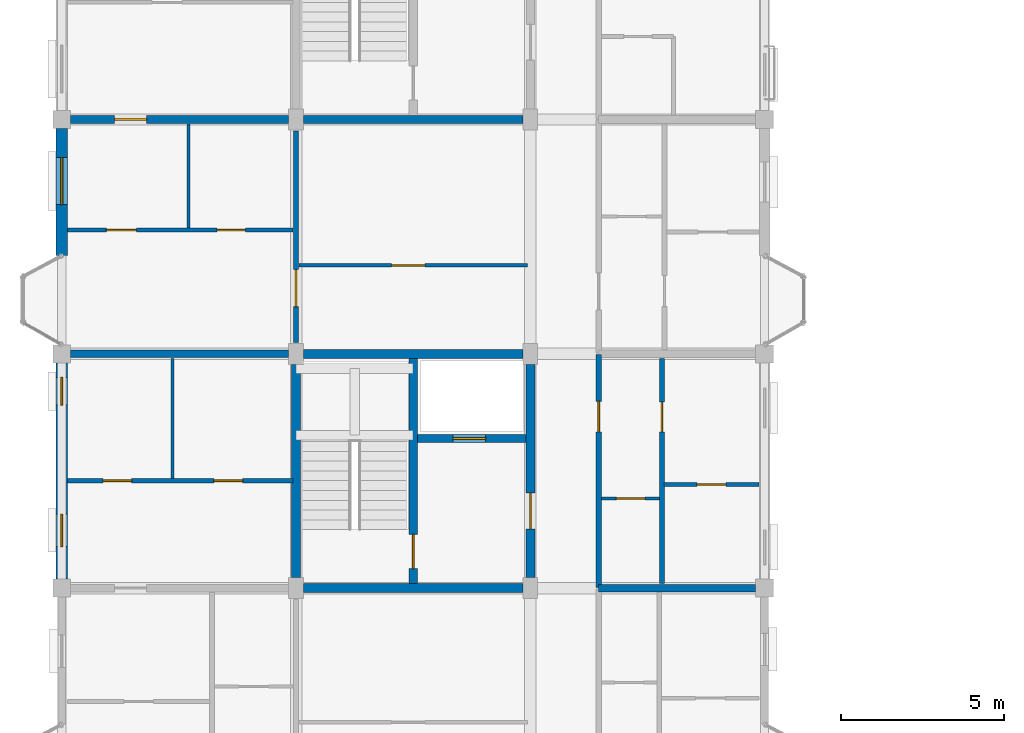
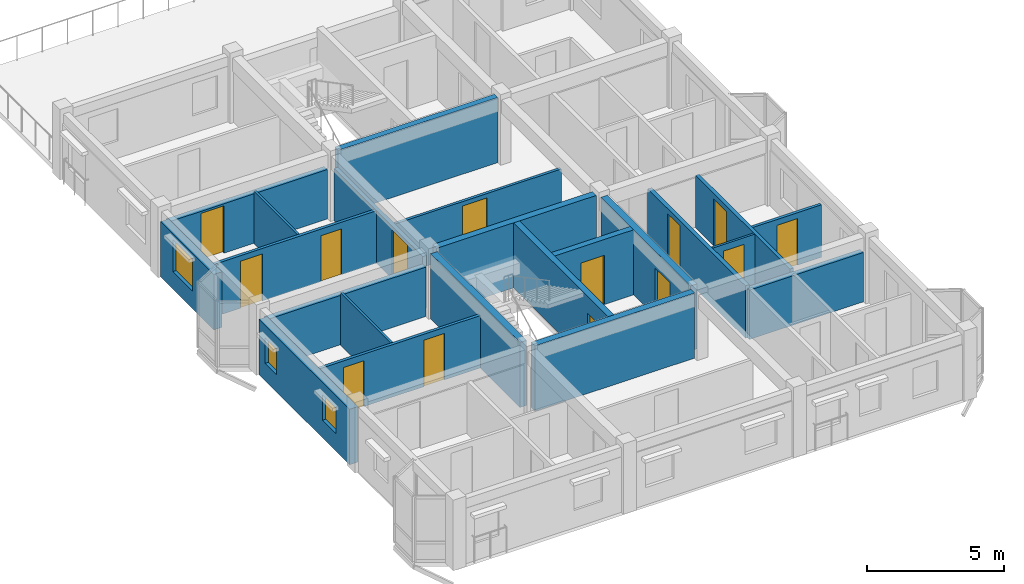
# One storey, part 51 of 75: 22 walls, 14 doors, 3 windows, 17 openings.
"""IFC4 building model written with IfcOpenShell, lengths in metres."""

from ifc_helpers import new_model, si_unit, direction, frame, frame_2d, origin, place, context, subcontext, project, spatial, rectangle, extrude, material, layer, layer_set, type_object, element, fill, save


model = new_model("IFC4")

# Units and contexts
model_context = context("Model", 3, precision=1e-05, world=origin(), true_north=direction((0.0, 1.0)))
body_context = subcontext(model_context, "Body", "Model", "MODEL_VIEW")
ifc_project = project(units=[si_unit("LENGTHUNIT", "METRE"), si_unit("AREAUNIT", "SQUARE_METRE"), si_unit("VOLUMEUNIT", "CUBIC_METRE"), si_unit("PLANEANGLEUNIT", "RADIAN"), si_unit("MASSUNIT", "GRAM", prefix="KILO"), si_unit("THERMODYNAMICTEMPERATUREUNIT", "KELVIN"), si_unit("POWERUNIT", "WATT")], contexts=[model_context])

# Site, building, storey
site_placement = place(None, origin())
site = spatial("IfcSite", under=ifc_project, at=site_placement, CompositionType="ELEMENT")
building_placement = place(site_placement, origin())
building = spatial("IfcBuilding", under=site, at=building_placement, Name="Tavuni Mirador Residences", CompositionType="ELEMENT")
storey_placement = place(building_placement, frame((0.0, 0.0, 20.25)))
storey = spatial("IfcBuildingStorey", under=building, at=storey_placement, Name="L06", CompositionType="ELEMENT", Elevation=20.25)

# Wall, opening, door
ifc_material_1 = material(Name="Precast concrete C40/50", Category="concrete")
ifc_layer_1 = layer(ifc_material_1, 0.25, Name="Precast concrete C40/50", Category="concrete")
ifc_layer_set_1 = layer_set([ifc_layer_1], Name="Precast concrete C40/50")
wall_type_1 = type_object("IfcWallType", Name="WT-COR250", PredefinedType="SHEAR", material=ifc_layer_set_1)
wall_1_placement = place(storey_placement, frame((14.39990234375, 72.139892578125, 0.0), z_axis=(0.0, 0.0, 1.0), x_axis=(0.0, 1.0, 0.0)))
wall_1 = element("IfcWall", 1, at=wall_1_placement, inside=storey, type_object=wall_type_1, Name="CWALL-C3-L06-MID", PredefinedType="SHEAR", context=body_context, shape_type="SweptSolid", body=[
    extrude(rectangle(XDim=6.920166015625, YDim=0.25, at=frame_2d((3.4599609375, 0.0))), origin(), (0.0, 0.0, 1.0), 2.909912109375),
])
opening_1_placement = place(wall_1_placement, frame((0.4599609375, 0.0, 0.0)))
opening_1 = element("IfcOpeningElement", 2, at=opening_1_placement, cuts=wall_1, Name="Opening D-01", PredefinedType="OPENING", context=body_context, shape_type="SweptSolid", body=[
    extrude(rectangle(XDim=1.050048828125, YDim=2.14990234375, at=frame_2d((0.52490234375, 1.074951171875))), frame((0.0, 0.135009765625, 0.0), z_axis=(0.0, -1.0, 0.0), x_axis=(1.0, 0.0, 0.0)), (0.0, 0.0, 1.0), 0.27001953125),
])
ifc_material_2 = material(Name="Solid core iroko timber", Category="wood")
door_type_1 = type_object("IfcDoorType", Name="DT-ST1050", OperationType="NOTDEFINED", PredefinedType="DOOR", material=ifc_material_2)
door_1_placement = place(opening_1_placement, origin())
door_1 = element("IfcDoor", 3, at=door_1_placement, inside=storey, type_object=door_type_1, Name="DR-2131", OperationType="SINGLE_SWING_LEFT", OverallHeight=2.14990234375, OverallWidth=1.050048828125, PredefinedType="DOOR", context=body_context, shape_type="SweptSolid", body=[
    extrude(rectangle(XDim=1.050048828125, YDim=2.14990234375, at=frame_2d((0.52490234375, 1.074951171875))), frame((0.0, 0.02490234375, 0.0), z_axis=(0.0, -1.0, 0.0), x_axis=(1.0, 0.0, 0.0)), (0.0, 0.0, 1.0), 0.050048828125),
])
fill(opening_1, door_1)

wall_2_placement = place(storey_placement, frame((14.52490234375, 76.60009765625, 0.0), z_axis=(0.0, 0.0, 1.0), x_axis=(1.0, 0.0, 0.0)))
wall_2 = element("IfcWall", 4, at=wall_2_placement, inside=storey, type_object=wall_type_1, Name="CWALL-C3-L06-SHF", PredefinedType="SHEAR", context=body_context, shape_type="SweptSolid", body=[
    extrude(rectangle(XDim=3.335205078125, YDim=0.25, at=frame_2d((1.66748046875, 0.0))), origin(), (0.0, 0.0, 1.0), 2.909912109375),
])
opening_2_placement = place(wall_2_placement, frame((1.10009765625, 0.0, 0.0)))
opening_2 = element("IfcOpeningElement", 5, at=opening_2_placement, cuts=wall_2, Name="Opening LD-02", PredefinedType="OPENING", context=body_context, shape_type="SweptSolid", body=[
    extrude(rectangle(XDim=1.0, YDim=2.199951171875, at=frame_2d((0.5, 1.10009765625))), frame((0.0, 0.135009765625, 0.0), z_axis=(0.0, -1.0, 0.0), x_axis=(1.0, 0.0, 0.0)), (0.0, 0.0, 1.0), 0.27001953125),
])
ifc_material_3 = material(Name="Structural steel S355", Category="steel")
door_type_2 = type_object("IfcDoorType", Name="DT-LD-PAX", OperationType="SLIDING_TO_LEFT", PredefinedType="DOOR", material=ifc_material_3)
door_2_placement = place(opening_2_placement, origin())
door_2 = element("IfcDoor", 6, at=door_2_placement, inside=storey, type_object=door_type_2, Name="Lift landing door PL-B1 L06", OperationType="SLIDING_TO_LEFT", OverallHeight=2.199951171875, OverallWidth=1.0, PredefinedType="DOOR", context=body_context, shape_type="SweptSolid", body=[
    extrude(rectangle(XDim=1.0, YDim=2.199951171875, at=frame_2d((0.5, 1.10009765625))), frame((0.0, 0.02490234375, 0.0), z_axis=(0.0, -1.0, 0.0), x_axis=(1.0, 0.0, 0.0)), (0.0, 0.0, 1.0), 0.050048828125),
])
fill(opening_2, door_2)

# Walls
wall_3_placement = place(storey_placement, frame((11.02490234375, 86.39990234375, 0.0), z_axis=(0.0, 0.0, 1.0), x_axis=(1.0, 0.0, 0.0)))
element("IfcWall", 7, at=wall_3_placement, inside=storey, type_object=wall_type_1, Name="CWALL-C4-L06-SS", PredefinedType="SHEAR", context=body_context, shape_type="SweptSolid", body=[
    extrude(rectangle(XDim=6.75, YDim=0.25, at=frame_2d((3.375, 0.0))), origin(), (0.0, 0.0, 1.0), 2.909912109375),
])
ifc_layer_2 = layer(ifc_material_1, 0.280029296875, Name="Precast concrete C40/50", Category="concrete")
ifc_layer_set_2 = layer_set([ifc_layer_2], Name="Precast concrete C40/50")
wall_type_2 = type_object("IfcWallType", Name="WT-COR280", PredefinedType="SHEAR", material=ifc_layer_set_2)
wall_4_placement = place(storey_placement, frame((10.800048828125, 72.324951171875, 0.0), z_axis=(0.0, 0.0, 1.0), x_axis=(0.0, 1.0, 0.0)))
element("IfcWall", 8, at=wall_4_placement, inside=storey, type_object=wall_type_2, Name="CWALL-C3-L06-W", PredefinedType="SHEAR", context=body_context, shape_type="SweptSolid", body=[
    extrude(rectangle(XDim=6.550048828125, YDim=0.280029296875, at=frame_2d((3.27490234375, 0.0))), origin(), (0.0, 0.0, 1.0), 2.909912109375),
])
wall_5_placement = place(storey_placement, frame((11.02490234375, 79.199951171875, 0.0), z_axis=(0.0, 0.0, 1.0), x_axis=(1.0, 0.0, 0.0)))
element("IfcWall", 9, at=wall_5_placement, inside=storey, type_object=wall_type_2, Name="CWALL-C3-L06-N", PredefinedType="SHEAR", context=body_context, shape_type="SweptSolid", body=[
    extrude(rectangle(XDim=6.75, YDim=0.280029296875, at=frame_2d((3.375, 0.0))), origin(), (0.0, 0.0, 1.0), 2.909912109375),
])

# Wall, opening, door
wall_6_placement = place(storey_placement, frame((18.0, 72.324951171875, 0.0), z_axis=(0.0, 0.0, 1.0), x_axis=(0.0, 1.0, 0.0)))
wall_6 = element("IfcWall", 10, at=wall_6_placement, inside=storey, type_object=wall_type_2, Name="CWALL-C3-L06-E", PredefinedType="SHEAR", context=body_context, shape_type="SweptSolid", body=[
    extrude(rectangle(XDim=6.550048828125, YDim=0.280029296875, at=frame_2d((3.27490234375, 0.0))), origin(), (0.0, 0.0, 1.0), 2.909912109375),
])
opening_3_placement = place(wall_6_placement, frame((1.5, 0.0, 0.0)))
opening_3 = element("IfcOpeningElement", 11, at=opening_3_placement, cuts=wall_6, Name="Opening D-02", PredefinedType="OPENING", context=body_context, shape_type="SweptSolid", body=[
    extrude(rectangle(XDim=1.10009765625, YDim=2.14990234375, at=frame_2d((0.550048828125, 1.074951171875))), frame((0.0, 0.14990234375, 0.0), z_axis=(0.0, -1.0, 0.0), x_axis=(1.0, 0.0, 0.0)), (0.0, 0.0, 1.0), 0.300048828125),
])
door_type_3 = type_object("IfcDoorType", Name="DT-LOB1100", OperationType="NOTDEFINED", PredefinedType="DOOR", material=ifc_material_2)
door_3_placement = place(opening_3_placement, frame((1.10009765625, 0.0, 0.0), z_axis=(0.0, 0.0, 1.0), x_axis=(-1.0, 0.0, 0.0)))
door_3 = element("IfcDoor", 12, at=door_3_placement, inside=storey, type_object=door_type_3, Name="DR-2130", OperationType="SINGLE_SWING_LEFT", OverallHeight=2.14990234375, OverallWidth=1.10009765625, PredefinedType="DOOR", context=body_context, shape_type="SweptSolid", body=[
    extrude(rectangle(XDim=1.10009765625, YDim=2.14990234375, at=frame_2d((0.550048828125, 1.074951171875))), frame((0.0, 0.02490234375, 0.0), z_axis=(0.0, -1.0, 0.0), x_axis=(1.0, 0.0, 0.0)), (0.0, 0.0, 1.0), 0.050048828125),
])
fill(opening_3, door_3)

# Wall
wall_7_placement = place(storey_placement, frame((11.02490234375, 72.0, 0.0), z_axis=(0.0, 0.0, 1.0), x_axis=(1.0, 0.0, 0.0)))
element("IfcWall", 13, at=wall_7_placement, inside=storey, type_object=wall_type_2, Name="CWALL-C3-L06-SS", PredefinedType="SHEAR", context=body_context, shape_type="SweptSolid", body=[
    extrude(rectangle(XDim=6.75, YDim=0.280029296875, at=frame_2d((3.375, 0.0))), origin(), (0.0, 0.0, 1.0), 2.909912109375),
])

# Wall, opening, door
ifc_layer_3 = layer(ifc_material_1, 0.1650390625, Name="Precast concrete C40/50", Category="concrete")
ifc_layer_set_3 = layer_set([ifc_layer_3], Name="Precast concrete C40/50")
wall_type_3 = type_object("IfcWallType", Name="WT-CORR165", PredefinedType="PARTITIONING", material=ifc_layer_set_3)
wall_8_placement = place(storey_placement, frame((20.10009765625, 72.02001953125, 0.0), z_axis=(0.0, 0.0, 1.0), x_axis=(0.0, 1.0, 0.0)))
wall_8 = element("IfcWall", 14, at=wall_8_placement, inside=storey, type_object=wall_type_3, Name="CORW-BLK-B-L06-0-01", PredefinedType="PARTITIONING", context=body_context, shape_type="SweptSolid", body=[
    extrude(rectangle(XDim=7.159912109375, YDim=0.1650390625, at=frame_2d((3.580078125, 0.0))), origin(), (0.0, 0.0, 1.0), 2.344970703125),
])
opening_4_placement = place(wall_8_placement, frame((4.780029296875, 0.0, 0.0)))
opening_4 = element("IfcOpeningElement", 15, at=opening_4_placement, cuts=wall_8, Name="Opening D-19", PredefinedType="OPENING", context=body_context, shape_type="SweptSolid", body=[
    extrude(rectangle(XDim=0.93994140625, YDim=2.1201171875, at=frame_2d((0.469970703125, 1.06005859375))), frame((0.0, 0.092529296875, 0.0), z_axis=(0.0, -1.0, 0.0), x_axis=(1.0, 0.0, 0.0)), (0.0, 0.0, 1.0), 0.18505859375),
])
door_type_4 = type_object("IfcDoorType", Name="DT-FD60-940", OperationType="NOTDEFINED", PredefinedType="DOOR", material=ifc_material_2)
door_4_placement = place(opening_4_placement, origin())
door_4 = element("IfcDoor", 16, at=door_4_placement, inside=storey, type_object=door_type_4, Name="DR-2578", OperationType="SINGLE_SWING_LEFT", OverallHeight=2.1201171875, OverallWidth=0.93994140625, PredefinedType="DOOR", context=body_context, shape_type="SweptSolid", body=[
    extrude(rectangle(XDim=0.93994140625, YDim=2.1201171875, at=frame_2d((0.469970703125, 1.06005859375))), frame((0.0, 0.02490234375, 0.0), z_axis=(0.0, -1.0, 0.0), x_axis=(1.0, 0.0, 0.0)), (0.0, 0.0, 1.0), 0.050048828125),
])
fill(opening_4, door_4)

wall_9_placement = place(storey_placement, frame((10.800048828125, 79.550048828125, 0.0), z_axis=(0.0, 0.0, 1.0), x_axis=(0.0, 1.0, 0.0)))
wall_9 = element("IfcWall", 17, at=wall_9_placement, inside=storey, type_object=wall_type_3, Name="CORW-BLK-B-L06-1-02", PredefinedType="PARTITIONING", context=body_context, shape_type="SweptSolid", body=[
    extrude(rectangle(XDim=6.5, YDim=0.1650390625, at=frame_2d((3.25, 0.0))), origin(), (0.0, 0.0, 1.0), 2.344970703125),
])
opening_5_placement = place(wall_9_placement, frame((1.10009765625, 0.0, 0.0)))
opening_5 = element("IfcOpeningElement", 18, at=opening_5_placement, cuts=wall_9, Name="Opening D-20", PredefinedType="OPENING", context=body_context, shape_type="SweptSolid", body=[
    extrude(rectangle(XDim=1.139892578125, YDim=2.179931640625, at=frame_2d((0.56982421875, 1.08984375))), frame((0.0, 0.092529296875, 0.0), z_axis=(0.0, -1.0, 0.0), x_axis=(1.0, 0.0, 0.0)), (0.0, 0.0, 1.0), 0.18505859375),
])
door_type_5 = type_object("IfcDoorType", Name="DT-FD60-1140", OperationType="NOTDEFINED", PredefinedType="DOOR", material=ifc_material_2)
door_5_placement = place(opening_5_placement, origin())
door_5 = element("IfcDoor", 19, at=door_5_placement, inside=storey, type_object=door_type_5, Name="DR-2582", OperationType="SINGLE_SWING_LEFT", OverallHeight=2.179931640625, OverallWidth=1.139892578125, PredefinedType="DOOR", context=body_context, shape_type="SweptSolid", body=[
    extrude(rectangle(XDim=1.139892578125, YDim=2.179931640625, at=frame_2d((0.56982421875, 1.08984375))), frame((0.0, 0.02490234375, 0.0), z_axis=(0.0, -1.0, 0.0), x_axis=(1.0, 0.0, 0.0)), (0.0, 0.0, 1.0), 0.050048828125),
])
fill(opening_5, door_5)

# Wall, opening, window
ifc_material_4 = material(Name="Sgraffito lime-rendered precast concrete C40/50", Category="concrete")
ifc_layer_4 = layer(ifc_material_4, 0.344970703125, Name="Sgraffito lime-rendered precast concrete C40/50", Category="concrete")
ifc_layer_set_4 = layer_set([ifc_layer_4], Name="Sgraffito lime-rendered precast concrete C40/50")
wall_type_4 = type_object("IfcWallType", Name="WT-EXT-PTY345", PredefinedType="SOLIDWALL", material=ifc_layer_set_4)
wall_10_placement = place(storey_placement, frame((3.60009765625, 86.125, 0.0), z_axis=(0.0, 0.0, 1.0), x_axis=(0.0, -1.0, 0.0)))
wall_10 = element("IfcWall", 20, at=wall_10_placement, inside=storey, type_object=wall_type_4, Name="EW-BLK-B-L06-W02", PredefinedType="SOLIDWALL", context=body_context, shape_type="SweptSolid", body=[
    extrude(rectangle(XDim=3.905029296875, YDim=0.344970703125, at=frame_2d((1.95263671875, 0.0))), origin(), (0.0, 0.0, 1.0), 2.47998046875),
])
opening_6_placement = place(wall_10_placement, frame((0.892578125, 0.0, 0.780029296875)))
opening_6 = element("IfcOpeningElement", 21, at=opening_6_placement, cuts=wall_10, Name="Opening WN-30", PredefinedType="OPENING", context=body_context, shape_type="SweptSolid", body=[
    extrude(rectangle(XDim=1.449951171875, YDim=1.43994140625, at=frame_2d((0.72509765625, 0.719970703125))), frame((0.0, 0.1826171875, 0.0), z_axis=(0.0, -1.0, 0.0), x_axis=(1.0, 0.0, 0.0)), (0.0, 0.0, 1.0), 0.364990234375),
])
ifc_material_5 = material(Name="Laminated solar-control glass", Category="glass")
window_type_1 = type_object("IfcWindowType", Name="WNT-30", PartitioningType="SINGLE_PANEL", PredefinedType="WINDOW", material=ifc_material_5)
window_1_placement = place(opening_6_placement, origin())
window_1 = element("IfcWindow", 22, at=window_1_placement, inside=storey, type_object=window_type_1, Name="WIN-0743", OverallHeight=1.43994140625, OverallWidth=1.449951171875, PartitioningType="SINGLE_PANEL", PredefinedType="WINDOW", context=body_context, shape_type="SweptSolid", body=[
    extrude(rectangle(XDim=1.449951171875, YDim=1.43994140625, at=frame_2d((0.72509765625, 0.719970703125))), frame((0.0, 0.030029296875, 0.0), z_axis=(0.0, -1.0, 0.0), x_axis=(1.0, 0.0, 0.0)), (0.0, 0.0, 1.0), 0.06005859375),
])
fill(opening_6, window_1)

# Wall, openings, windows
wall_11_placement = place(storey_placement, frame((3.60009765625, 78.925048828125, 0.0), z_axis=(0.0, 0.0, 1.0), x_axis=(0.0, -1.0, 0.0)))
wall_11 = element("IfcWall", 23, at=wall_11_placement, inside=storey, type_object=wall_type_4, Name="EW-BLK-B-L06-W01", PredefinedType="SOLIDWALL", context=body_context, shape_type="SweptSolid", body=[
    extrude(rectangle(XDim=6.650146484375, YDim=0.344970703125, at=frame_2d((3.3251953125, 0.0))), origin(), (0.0, 0.0, 1.0), 2.47998046875),
])
opening_7_placement = place(wall_11_placement, frame((0.449951171875, 0.0, 0.780029296875)))
opening_7 = element("IfcOpeningElement", 24, at=opening_7_placement, cuts=wall_11, Name="Opening WN-01", PredefinedType="OPENING", context=body_context, shape_type="SweptSolid", body=[
    extrude(rectangle(XDim=0.85009765625, YDim=1.14990234375, at=frame_2d((0.425048828125, 0.574951171875))), frame((0.0, 0.1826171875, 0.0), z_axis=(0.0, -1.0, 0.0), x_axis=(1.0, 0.0, 0.0)), (0.0, 0.0, 1.0), 0.364990234375),
])
opening_8_placement = place(wall_11_placement, frame((4.64990234375, 0.0, 0.780029296875)))
opening_8 = element("IfcOpeningElement", 25, at=opening_8_placement, cuts=wall_11, Name="Opening WN-03", PredefinedType="OPENING", context=body_context, shape_type="SweptSolid", body=[
    extrude(rectangle(XDim=1.0, YDim=1.14990234375, at=frame_2d((0.5, 0.574951171875))), frame((0.0, 0.1826171875, 0.0), z_axis=(0.0, -1.0, 0.0), x_axis=(1.0, 0.0, 0.0)), (0.0, 0.0, 1.0), 0.364990234375),
])
window_type_2 = type_object("IfcWindowType", Name="WNT-01", PartitioningType="SINGLE_PANEL", PredefinedType="WINDOW", material=ifc_material_5)
window_2_placement = place(opening_7_placement, origin())
window_2 = element("IfcWindow", 26, at=window_2_placement, inside=storey, type_object=window_type_2, Name="WIN-0744", OverallHeight=1.14990234375, OverallWidth=0.85009765625, PartitioningType="SINGLE_PANEL", PredefinedType="WINDOW", context=body_context, shape_type="SweptSolid", body=[
    extrude(rectangle(XDim=0.85009765625, YDim=1.14990234375, at=frame_2d((0.425048828125, 0.574951171875))), frame((0.0, 0.030029296875, 0.0), z_axis=(0.0, -1.0, 0.0), x_axis=(1.0, 0.0, 0.0)), (0.0, 0.0, 1.0), 0.06005859375),
])
fill(opening_7, window_2)
window_type_3 = type_object("IfcWindowType", Name="WNT-03", PartitioningType="SINGLE_PANEL", PredefinedType="WINDOW", material=ifc_material_5)
window_3_placement = place(opening_8_placement, origin())
window_3 = element("IfcWindow", 27, at=window_3_placement, inside=storey, type_object=window_type_3, Name="WIN-0745", OverallHeight=1.14990234375, OverallWidth=1.0, PartitioningType="SINGLE_PANEL", PredefinedType="WINDOW", context=body_context, shape_type="SweptSolid", body=[
    extrude(rectangle(XDim=1.0, YDim=1.14990234375, at=frame_2d((0.5, 0.574951171875))), frame((0.0, 0.030029296875, 0.0), z_axis=(0.0, -1.0, 0.0), x_axis=(1.0, 0.0, 0.0)), (0.0, 0.0, 1.0), 0.06005859375),
])
fill(opening_8, window_3)

# Wall
ifc_material_6 = material(Name="Acoustic gypsum and concrete block partition", Category="concrete")
ifc_layer_5 = layer(ifc_material_6, 0.094970703125, Name="Acoustic gypsum and concrete block partition", Category="concrete")
ifc_layer_set_5 = layer_set([ifc_layer_5], Name="Acoustic gypsum and concrete block partition")
wall_type_5 = type_object("IfcWallType", Name="WT-PART095", PredefinedType="PARTITIONING", material=ifc_layer_set_5)
wall_12_placement = place(storey_placement, frame((7.0, 75.3701171875, 0.0), z_axis=(0.0, 0.0, 1.0), x_axis=(0.0, 1.0, 0.0)))
element("IfcWall", 28, at=wall_12_placement, inside=storey, type_object=wall_type_5, Name="PW-BLK-B-L06-PF01-V", PredefinedType="PARTITIONING", context=body_context, shape_type="SweptSolid", body=[
    extrude(rectangle(XDim=3.68994140625, YDim=0.094970703125, at=frame_2d((1.844970703125, 0.0))), origin(), (0.0, 0.0, 1.0), 2.344970703125),
])

# Wall, opening, door
wall_13_placement = place(storey_placement, frame((20.18994140625, 74.760009765625, 0.0), z_axis=(0.0, 0.0, 1.0), x_axis=(1.0, 0.0, 0.0)))
wall_13 = element("IfcWall", 29, at=wall_13_placement, inside=storey, type_object=wall_type_5, Name="PW-BLK-B-L06-E01-IN1", PredefinedType="PARTITIONING", context=body_context, shape_type="SweptSolid", body=[
    extrude(rectangle(XDim=1.780029296875, YDim=0.094970703125, at=frame_2d((0.89013671875, 0.0))), origin(), (0.0, 0.0, 1.0), 2.344970703125),
])
opening_9_placement = place(wall_13_placement, frame((0.455078125, 0.0, 0.0)))
opening_9 = element("IfcOpeningElement", 30, at=opening_9_placement, cuts=wall_13, Name="Opening D-10", PredefinedType="OPENING", context=body_context, shape_type="SweptSolid", body=[
    extrude(rectangle(XDim=0.8701171875, YDim=2.050048828125, at=frame_2d((0.43505859375, 1.02490234375))), frame((0.0, 0.0576171875, 0.0), z_axis=(0.0, -1.0, 0.0), x_axis=(1.0, 0.0, 0.0)), (0.0, 0.0, 1.0), 0.114990234375),
])
door_type_6 = type_object("IfcDoorType", Name="DT-WC870", OperationType="NOTDEFINED", PredefinedType="DOOR", material=ifc_material_2)
door_6_placement = place(opening_9_placement, origin())
door_6 = element("IfcDoor", 31, at=door_6_placement, inside=storey, type_object=door_type_6, Name="DR-3592", OperationType="SINGLE_SWING_LEFT", OverallHeight=2.050048828125, OverallWidth=0.8701171875, PredefinedType="DOOR", context=body_context, shape_type="SweptSolid", body=[
    extrude(rectangle(XDim=0.8701171875, YDim=2.050048828125, at=frame_2d((0.43505859375, 1.02490234375))), frame((0.0, 0.02490234375, 0.0), z_axis=(0.0, -1.0, 0.0), x_axis=(1.0, 0.0, 0.0)), (0.0, 0.0, 1.0), 0.050048828125),
])
fill(opening_9, door_6)

# Wall
wall_14_placement = place(storey_placement, frame((7.5, 83.070068359375, 0.0), z_axis=(0.0, 0.0, 1.0), x_axis=(0.0, 1.0, 0.0)))
element("IfcWall", 32, at=wall_14_placement, inside=storey, type_object=wall_type_5, Name="PW-BLK-B-L06-PF02-V", PredefinedType="PARTITIONING", context=body_context, shape_type="SweptSolid", body=[
    extrude(rectangle(XDim=3.18994140625, YDim=0.094970703125, at=frame_2d((1.594970703125, 0.0))), origin(), (0.0, 0.0, 1.0), 2.344970703125),
])

# Wall, opening, door
ifc_layer_6 = layer(ifc_material_6, 0.114990234375, Name="Acoustic gypsum and concrete block partition", Category="concrete")
ifc_layer_set_6 = layer_set([ifc_layer_6], Name="Acoustic gypsum and concrete block partition")
wall_type_6 = type_object("IfcWallType", Name="WT-PART115", PredefinedType="PARTITIONING", material=ifc_layer_set_6)
wall_15_placement = place(storey_placement, frame((10.889892578125, 81.919921875, 0.0), z_axis=(0.0, 0.0, 1.0), x_axis=(1.0, 0.0, 0.0)))
wall_15 = element("IfcWall", 33, at=wall_15_placement, inside=storey, type_object=wall_type_6, Name="PW-SPN-BLK-B-L06-02", PredefinedType="PARTITIONING", context=body_context, shape_type="SweptSolid", body=[
    extrude(rectangle(XDim=7.02001953125, YDim=0.114990234375, at=frame_2d((3.510009765625, 0.0))), origin(), (0.0, 0.0, 1.0), 2.344970703125),
])
opening_10_placement = place(wall_15_placement, frame((2.85009765625, 0.0, 0.0)))
opening_10 = element("IfcOpeningElement", 34, at=opening_10_placement, cuts=wall_15, Name="Opening D-13", PredefinedType="OPENING", context=body_context, shape_type="SweptSolid", body=[
    extrude(rectangle(XDim=1.02001953125, YDim=2.14990234375, at=frame_2d((0.510009765625, 1.074951171875))), frame((0.0, 0.0673828125, 0.0), z_axis=(0.0, -1.0, 0.0), x_axis=(1.0, 0.0, 0.0)), (0.0, 0.0, 1.0), 0.135009765625),
])
door_type_7 = type_object("IfcDoorType", Name="DT-MTG1020", OperationType="NOTDEFINED", PredefinedType="DOOR", material=ifc_material_2)
door_7_placement = place(opening_10_placement, origin())
door_7 = element("IfcDoor", 35, at=door_7_placement, inside=storey, type_object=door_type_7, Name="DR-3594", OperationType="SINGLE_SWING_LEFT", OverallHeight=2.14990234375, OverallWidth=1.02001953125, PredefinedType="DOOR", context=body_context, shape_type="SweptSolid", body=[
    extrude(rectangle(XDim=1.02001953125, YDim=2.14990234375, at=frame_2d((0.510009765625, 1.074951171875))), frame((0.0, 0.02490234375, 0.0), z_axis=(0.0, -1.0, 0.0), x_axis=(1.0, 0.0, 0.0)), (0.0, 0.0, 1.0), 0.050048828125),
])
fill(opening_10, door_7)

# Wall, openings, doors
ifc_layer_7 = layer(ifc_material_6, 0.125, Name="Acoustic gypsum and concrete block partition", Category="concrete")
ifc_layer_set_7 = layer_set([ifc_layer_7], Name="Acoustic gypsum and concrete block partition")
wall_type_7 = type_object("IfcWallType", Name="WT-PART125", PredefinedType="PARTITIONING", material=ifc_layer_set_7)
wall_16_placement = place(storey_placement, frame((3.77490234375, 75.300048828125, 0.0), z_axis=(0.0, 0.0, 1.0), x_axis=(1.0, 0.0, 0.0)))
wall_16 = element("IfcWall", 36, at=wall_16_placement, inside=storey, type_object=wall_type_7, Name="PW-BLK-B-L06-PF01-H", PredefinedType="PARTITIONING", context=body_context, shape_type="SweptSolid", body=[
    extrude(rectangle(XDim=6.93505859375, YDim=0.125, at=frame_2d((3.467529296875, 0.0))), origin(), (0.0, 0.0, 1.0), 2.344970703125),
])
opening_11_placement = place(wall_16_placement, frame((1.10009765625, 0.0, 0.0)))
opening_11 = element("IfcOpeningElement", 37, at=opening_11_placement, cuts=wall_16, Name="Opening D-10", PredefinedType="OPENING", context=body_context, shape_type="SweptSolid", body=[
    extrude(rectangle(XDim=0.8701171875, YDim=2.050048828125, at=frame_2d((0.43505859375, 1.02490234375))), frame((0.0, 0.072509765625, 0.0), z_axis=(0.0, -1.0, 0.0), x_axis=(1.0, 0.0, 0.0)), (0.0, 0.0, 1.0), 0.14501953125),
])
opening_12_placement = place(wall_16_placement, frame((4.5, 0.0, 0.0)))
opening_12 = element("IfcOpeningElement", 38, at=opening_12_placement, cuts=wall_16, Name="Opening D-08", PredefinedType="OPENING", context=body_context, shape_type="SweptSolid", body=[
    extrude(rectangle(XDim=0.8798828125, YDim=2.080078125, at=frame_2d((0.43994140625, 1.0400390625))), frame((0.0, 0.072509765625, 0.0), z_axis=(0.0, -1.0, 0.0), x_axis=(1.0, 0.0, 0.0)), (0.0, 0.0, 1.0), 0.14501953125),
])
door_type_8 = type_object("IfcDoorType", Name="DT-BED880", OperationType="NOTDEFINED", PredefinedType="DOOR", material=ifc_material_2)
door_8_placement = place(opening_12_placement, origin())
door_8 = element("IfcDoor", 39, at=door_8_placement, inside=storey, type_object=door_type_8, Name="DR-3590", OperationType="SINGLE_SWING_RIGHT", OverallHeight=2.080078125, OverallWidth=0.8798828125, PredefinedType="DOOR", context=body_context, shape_type="SweptSolid", body=[
    extrude(rectangle(XDim=0.8798828125, YDim=2.080078125, at=frame_2d((0.43994140625, 1.0400390625))), frame((0.0, 0.02490234375, 0.0), z_axis=(0.0, -1.0, 0.0), x_axis=(1.0, 0.0, 0.0)), (0.0, 0.0, 1.0), 0.050048828125),
])
fill(opening_12, door_8)
door_9_placement = place(opening_11_placement, origin())
door_9 = element("IfcDoor", 40, at=door_9_placement, inside=storey, type_object=door_type_6, Name="DR-3589", OperationType="SINGLE_SWING_LEFT", OverallHeight=2.050048828125, OverallWidth=0.8701171875, PredefinedType="DOOR", context=body_context, shape_type="SweptSolid", body=[
    extrude(rectangle(XDim=0.8701171875, YDim=2.050048828125, at=frame_2d((0.43505859375, 1.02490234375))), frame((0.0, 0.02490234375, 0.0), z_axis=(0.0, -1.0, 0.0), x_axis=(1.0, 0.0, 0.0)), (0.0, 0.0, 1.0), 0.050048828125),
])
fill(opening_11, door_9)

# Wall, opening, door
wall_17_placement = place(storey_placement, frame((22.110107421875, 75.179931640625, 0.0), z_axis=(0.0, 0.0, 1.0), x_axis=(1.0, 0.0, 0.0)))
wall_17 = element("IfcWall", 41, at=wall_17_placement, inside=storey, type_object=wall_type_7, Name="PW-BLK-B-L06-E01-OUT", PredefinedType="PARTITIONING", context=body_context, shape_type="SweptSolid", body=[
    extrude(rectangle(XDim=2.914794921875, YDim=0.125, at=frame_2d((1.45751953125, 0.0))), origin(), (0.0, 0.0, 1.0), 2.344970703125),
])
opening_13_placement = place(wall_17_placement, frame((1.017578125, 0.0, 0.0)))
opening_13 = element("IfcOpeningElement", 42, at=opening_13_placement, cuts=wall_17, Name="Opening D-08", PredefinedType="OPENING", context=body_context, shape_type="SweptSolid", body=[
    extrude(rectangle(XDim=0.8798828125, YDim=2.080078125, at=frame_2d((0.43994140625, 1.0400390625))), frame((0.0, 0.072509765625, 0.0), z_axis=(0.0, -1.0, 0.0), x_axis=(1.0, 0.0, 0.0)), (0.0, 0.0, 1.0), 0.14501953125),
])
door_10_placement = place(opening_13_placement, origin())
door_10 = element("IfcDoor", 43, at=door_10_placement, inside=storey, type_object=door_type_8, Name="DR-3591", OperationType="SINGLE_SWING_RIGHT", OverallHeight=2.080078125, OverallWidth=0.8798828125, PredefinedType="DOOR", context=body_context, shape_type="SweptSolid", body=[
    extrude(rectangle(XDim=0.8798828125, YDim=2.080078125, at=frame_2d((0.43994140625, 1.0400390625))), frame((0.0, 0.02490234375, 0.0), z_axis=(0.0, -1.0, 0.0), x_axis=(1.0, 0.0, 0.0)), (0.0, 0.0, 1.0), 0.050048828125),
])
fill(opening_13, door_10)

# Wall, openings, doors
wall_18_placement = place(storey_placement, frame((3.77490234375, 83.0, 0.0), z_axis=(0.0, 0.0, 1.0), x_axis=(1.0, 0.0, 0.0)))
wall_18 = element("IfcWall", 44, at=wall_18_placement, inside=storey, type_object=wall_type_7, Name="PW-BLK-B-L06-PF02-H", PredefinedType="PARTITIONING", context=body_context, shape_type="SweptSolid", body=[
    extrude(rectangle(XDim=6.93505859375, YDim=0.125, at=frame_2d((3.467529296875, 0.0))), origin(), (0.0, 0.0, 1.0), 2.344970703125),
])
opening_14_placement = place(wall_18_placement, frame((4.60009765625, 0.0, 0.0)))
opening_14 = element("IfcOpeningElement", 45, at=opening_14_placement, cuts=wall_18, Name="Opening D-10", PredefinedType="OPENING", context=body_context, shape_type="SweptSolid", body=[
    extrude(rectangle(XDim=0.8701171875, YDim=2.050048828125, at=frame_2d((0.43505859375, 1.02490234375))), frame((0.0, 0.072509765625, 0.0), z_axis=(0.0, -1.0, 0.0), x_axis=(1.0, 0.0, 0.0)), (0.0, 0.0, 1.0), 0.14501953125),
])
opening_15_placement = place(wall_18_placement, frame((1.199951171875, 0.0, 0.0)))
opening_15 = element("IfcOpeningElement", 46, at=opening_15_placement, cuts=wall_18, Name="Opening D-06", PredefinedType="OPENING", context=body_context, shape_type="SweptSolid", body=[
    extrude(rectangle(XDim=0.919921875, YDim=2.10009765625, at=frame_2d((0.4599609375, 1.050048828125))), frame((0.0, 0.072509765625, 0.0), z_axis=(0.0, -1.0, 0.0), x_axis=(1.0, 0.0, 0.0)), (0.0, 0.0, 1.0), 0.14501953125),
])
door_type_9 = type_object("IfcDoorType", Name="DT-INT920", OperationType="NOTDEFINED", PredefinedType="DOOR", material=ifc_material_2)
door_11_placement = place(opening_15_placement, origin())
door_11 = element("IfcDoor", 47, at=door_11_placement, inside=storey, type_object=door_type_9, Name="DR-3596", OperationType="SINGLE_SWING_RIGHT", OverallHeight=2.10009765625, OverallWidth=0.919921875, PredefinedType="DOOR", context=body_context, shape_type="SweptSolid", body=[
    extrude(rectangle(XDim=0.919921875, YDim=2.10009765625, at=frame_2d((0.4599609375, 1.050048828125))), frame((0.0, 0.02490234375, 0.0), z_axis=(0.0, -1.0, 0.0), x_axis=(1.0, 0.0, 0.0)), (0.0, 0.0, 1.0), 0.050048828125),
])
fill(opening_15, door_11)
door_12_placement = place(opening_14_placement, origin())
door_12 = element("IfcDoor", 48, at=door_12_placement, inside=storey, type_object=door_type_6, Name="DR-3595", OperationType="SINGLE_SWING_LEFT", OverallHeight=2.050048828125, OverallWidth=0.8701171875, PredefinedType="DOOR", context=body_context, shape_type="SweptSolid", body=[
    extrude(rectangle(XDim=0.8701171875, YDim=2.050048828125, at=frame_2d((0.43505859375, 1.02490234375))), frame((0.0, 0.02490234375, 0.0), z_axis=(0.0, -1.0, 0.0), x_axis=(1.0, 0.0, 0.0)), (0.0, 0.0, 1.0), 0.050048828125),
])
fill(opening_14, door_12)

# Wall, opening, door
ifc_layer_8 = layer(ifc_material_6, 0.14990234375, Name="Acoustic gypsum and concrete block partition", Category="concrete")
ifc_layer_set_8 = layer_set([ifc_layer_8], Name="Acoustic gypsum and concrete block partition")
wall_type_8 = type_object("IfcWallType", Name="WT-PART150", PredefinedType="PARTITIONING", material=ifc_layer_set_8)
wall_19_placement = place(storey_placement, frame((22.0400390625, 72.139892578125, 0.0), z_axis=(0.0, 0.0, 1.0), x_axis=(0.0, 1.0, 0.0)))
wall_19 = element("IfcWall", 49, at=wall_19_placement, inside=storey, type_object=wall_type_8, Name="PW-BLK-B-L06-E01-MID", PredefinedType="PARTITIONING", context=body_context, shape_type="SweptSolid", body=[
    extrude(rectangle(XDim=6.920166015625, YDim=0.14990234375, at=frame_2d((3.4599609375, 0.0))), origin(), (0.0, 0.0, 1.0), 2.344970703125),
])
opening_16_placement = place(wall_19_placement, frame((4.659912109375, 0.0, 0.0)))
opening_16 = element("IfcOpeningElement", 50, at=opening_16_placement, cuts=wall_19, Name="Opening D-06", PredefinedType="OPENING", context=body_context, shape_type="SweptSolid", body=[
    extrude(rectangle(XDim=0.919921875, YDim=2.10009765625, at=frame_2d((0.4599609375, 1.050048828125))), frame((0.0, 0.0849609375, 0.0), z_axis=(0.0, -1.0, 0.0), x_axis=(1.0, 0.0, 0.0)), (0.0, 0.0, 1.0), 0.169921875),
])
door_13_placement = place(opening_16_placement, origin())
door_13 = element("IfcDoor", 51, at=door_13_placement, inside=storey, type_object=door_type_9, Name="DR-3593", OperationType="SINGLE_SWING_RIGHT", OverallHeight=2.10009765625, OverallWidth=0.919921875, PredefinedType="DOOR", context=body_context, shape_type="SweptSolid", body=[
    extrude(rectangle(XDim=0.919921875, YDim=2.10009765625, at=frame_2d((0.4599609375, 1.050048828125))), frame((0.0, 0.02490234375, 0.0), z_axis=(0.0, -1.0, 0.0), x_axis=(1.0, 0.0, 0.0)), (0.0, 0.0, 1.0), 0.050048828125),
])
fill(opening_16, door_13)

# Walls
ifc_layer_9 = layer(ifc_material_1, 0.235107421875, Name="Precast concrete C40/50", Category="concrete")
ifc_layer_set_9 = layer_set([ifc_layer_9], Name="Precast concrete C40/50")
wall_type_9 = type_object("IfcWallType", Name="WT-XW235", PredefinedType="SOLIDWALL", material=ifc_layer_set_9)
wall_20_placement = place(storey_placement, frame((20.10009765625, 72.0, 0.0), z_axis=(0.0, 0.0, 1.0), x_axis=(1.0, 0.0, 0.0)))
element("IfcWall", 52, at=wall_20_placement, inside=storey, type_object=wall_type_9, Name="XW-BLK-B-L06-E-01", PredefinedType="SOLIDWALL", context=body_context, shape_type="SweptSolid", body=[
    extrude(rectangle(XDim=4.824951171875, YDim=0.235107421875, at=frame_2d((2.41259765625, 0.0))), origin(), (0.0, 0.0, 1.0), 2.2099609375),
])
wall_21_placement = place(storey_placement, frame((3.875, 79.199951171875, 0.0), z_axis=(0.0, 0.0, 1.0), x_axis=(1.0, 0.0, 0.0)))
element("IfcWall", 53, at=wall_21_placement, inside=storey, type_object=wall_type_9, Name="XW-BLK-B-L06-W-02", PredefinedType="SOLIDWALL", context=body_context, shape_type="SweptSolid", body=[
    extrude(rectangle(XDim=6.699951171875, YDim=0.235107421875, at=frame_2d((3.35009765625, 0.0))), origin(), (0.0, 0.0, 1.0), 2.2099609375),
])

# Wall, opening, door
wall_22_placement = place(storey_placement, frame((3.875, 86.39990234375, 0.0), z_axis=(0.0, 0.0, 1.0), x_axis=(1.0, 0.0, 0.0)))
wall_22 = element("IfcWall", 54, at=wall_22_placement, inside=storey, type_object=wall_type_9, Name="XW-BLK-B-L06-W-03", PredefinedType="SOLIDWALL", context=body_context, shape_type="SweptSolid", body=[
    extrude(rectangle(XDim=6.699951171875, YDim=0.235107421875, at=frame_2d((3.35009765625, 0.0))), origin(), (0.0, 0.0, 1.0), 2.2099609375),
])
opening_17_placement = place(wall_22_placement, frame((1.35009765625, 0.0, 0.0)))
opening_17 = element("IfcOpeningElement", 55, at=opening_17_placement, cuts=wall_22, Name="Opening D-04", PredefinedType="OPENING", context=body_context, shape_type="SweptSolid", body=[
    extrude(rectangle(XDim=0.97998046875, YDim=2.1201171875, at=frame_2d((0.489990234375, 1.06005859375))), frame((0.0, 0.12744140625, 0.0), z_axis=(0.0, -1.0, 0.0), x_axis=(1.0, 0.0, 0.0)), (0.0, 0.0, 1.0), 0.255126953125),
])
door_type_10 = type_object("IfcDoorType", Name="DT-FD60-980", OperationType="NOTDEFINED", PredefinedType="DOOR", material=ifc_material_2)
door_14_placement = place(opening_17_placement, origin())
door_14 = element("IfcDoor", 56, at=door_14_placement, inside=storey, type_object=door_type_10, Name="DR-4721", OperationType="SINGLE_SWING_RIGHT", OverallHeight=2.1201171875, OverallWidth=0.97998046875, PredefinedType="DOOR", context=body_context, shape_type="SweptSolid", body=[
    extrude(rectangle(XDim=0.97998046875, YDim=2.1201171875, at=frame_2d((0.489990234375, 1.06005859375))), frame((0.0, 0.02490234375, 0.0), z_axis=(0.0, -1.0, 0.0), x_axis=(1.0, 0.0, 0.0)), (0.0, 0.0, 1.0), 0.050048828125),
])
fill(opening_17, door_14)

save(model, "model.ifc")
